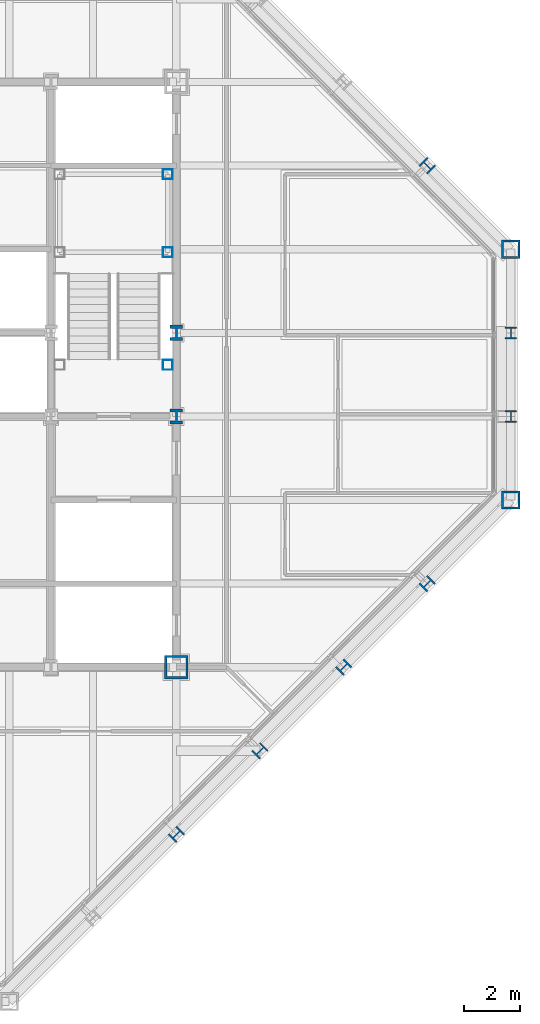
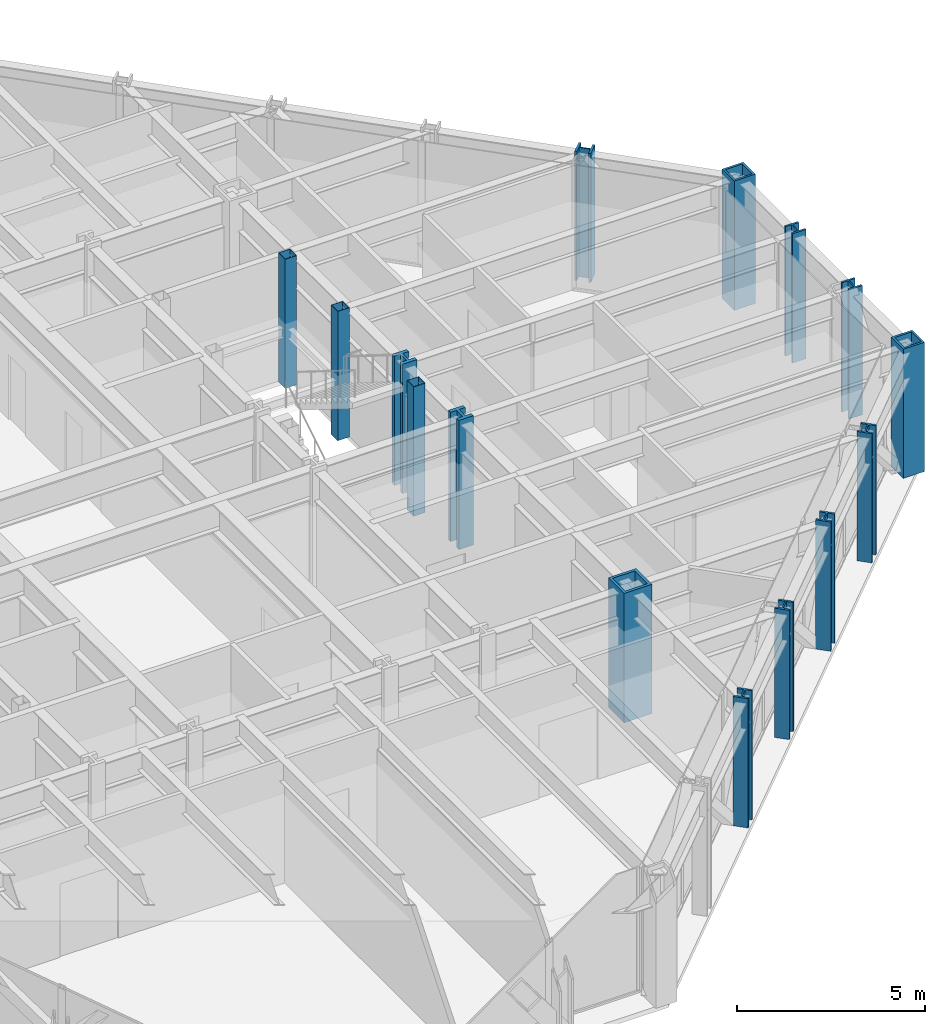
# One storey, part 3 of 15: 15 columns.
"""IFC4 building model written with IfcOpenShell, lengths in metres."""

from ifc_helpers import new_model, si_unit, direction, frame, origin, origin_2d, place, context, subcontext, project, spatial, hollow_rectangle, i_section, extrude, material, material_profile, profile_set, type_object, element, save


model = new_model("IFC4")

# Units and contexts
model_context = context("Model", 3, precision=1e-05, world=origin(), true_north=direction((0.0, 1.0)))
body_context = subcontext(model_context, "Body", "Model", "MODEL_VIEW")
ifc_project = project(units=[si_unit("LENGTHUNIT", "METRE"), si_unit("AREAUNIT", "SQUARE_METRE"), si_unit("VOLUMEUNIT", "CUBIC_METRE"), si_unit("PLANEANGLEUNIT", "RADIAN"), si_unit("MASSUNIT", "GRAM", prefix="KILO")], contexts=[model_context])

# Site, building, storey
site_placement = place(None, origin())
site = spatial("IfcSite", under=ifc_project, at=site_placement, CompositionType="ELEMENT")
building_placement = place(site_placement, origin())
building = spatial("IfcBuilding", under=site, at=building_placement, Name="Chuquiago Exchange Tower", CompositionType="ELEMENT")
storey_placement = place(building_placement, frame((0.0, 0.0, 266.39990234375)))
storey = spatial("IfcBuildingStorey", under=building, at=storey_placement, Name="L59", CompositionType="ELEMENT", Elevation=266.39990234375)

# Columns
ifc_material_1 = material(Name="Steel ASTM A992", Category="steel")
ifc_material_profile_1 = material_profile(ifc_material_1, i_section(OverallWidth=0.411376953125, OverallDepth=0.434326171875, WebThickness=0.035888671875, FlangeThickness=0.057373046875, at=origin_2d()), Name="W14X311")
ifc_profile_set_1 = profile_set([ifc_material_profile_1], Name="Steel ASTM A992")
column_type_1 = type_object("IfcColumnType", Name="C5 W14X311", PredefinedType="COLUMN", material=ifc_profile_set_1)
for number, where, z_axis, x_axis, name in (
    (1, (45.0, 21.0, 0.0), (0.0, 0.0, 1.0), (1.0, 0.0, 0.0), "COL-L59-45_21"),
    (2, (45.0, 24.0, 0.0), (0.0, 0.0, 1.0), (1.0, 0.0, 0.0), "COL-L59-45_24"),
):
    element("IfcColumn", number, at=place(storey_placement, frame(where, z_axis=z_axis, x_axis=x_axis)), inside=storey, type_object=column_type_1, Name=name, PredefinedType="COLUMN", context=body_context, shape_type="SweptSolid", body=[
        extrude(i_section(OverallWidth=0.411376953125, OverallDepth=0.434326171875, WebThickness=0.035888671875, FlangeThickness=0.057373046875, at=origin_2d()), origin(), (0.0, 0.0, 1.0), 4.2001953125),
    ])
ifc_material_2 = material(Name="Steel ASTM A992", Category="steel")
ifc_material_profile_2 = material_profile(ifc_material_2, i_section(OverallWidth=0.449462890625, OverallDepth=0.548583984375, WebThickness=0.07177734375, FlangeThickness=0.11474609375, at=origin_2d()), Name="W14X665")
ifc_profile_set_2 = profile_set([ifc_material_profile_2], Name="Steel ASTM A992")
column_type_2 = type_object("IfcColumnType", Name="CC5 W14X665", PredefinedType="COLUMN", material=ifc_profile_set_2)
for number, where, z_axis, x_axis, name in (
    (3, (33.0, 21.0, 0.0), (0.0, 0.0, 1.0), (1.0, 0.0, 0.0), "CCOL-L59-33_21"),
    (4, (33.0, 24.0, 0.0), (0.0, 0.0, 1.0), (1.0, 0.0, 0.0), "CCOL-L59-33_24"),
):
    element("IfcColumn", number, at=place(storey_placement, frame(where, z_axis=z_axis, x_axis=x_axis)), inside=storey, type_object=column_type_2, Name=name, PredefinedType="COLUMN", context=body_context, shape_type="SweptSolid", body=[
        extrude(i_section(OverallWidth=0.449462890625, OverallDepth=0.548583984375, WebThickness=0.07177734375, FlangeThickness=0.11474609375, at=origin_2d()), origin(), (0.0, 0.0, 1.0), 4.2001953125),
    ])
ifc_material_3 = material(Name="Steel ASTM A572 Grade 50", Category="steel")
ifc_material_profile_3 = material_profile(ifc_material_3, hollow_rectangle(XDim=0.85009765625, YDim=0.85009765625, WallThickness=0.0849609375, at=origin_2d()), Name="BOX850X850X85")
ifc_profile_set_3 = profile_set([ifc_material_profile_3], Name="Steel ASTM A572 Grade 50")
column_type_3 = type_object("IfcColumnType", Name="CC6 BOX850X850X85", PredefinedType="COLUMN", material=ifc_profile_set_3)
column_placement = place(storey_placement, frame((33.0, 12.0, 0.0), z_axis=(0.0, 0.0, 1.0), x_axis=(1.0, 0.0, 0.0)))
element("IfcColumn", 5, at=column_placement, inside=storey, type_object=column_type_3, Name="CCOL-L59-33_12", PredefinedType="COLUMN", context=body_context, shape_type="SweptSolid", body=[
    extrude(hollow_rectangle(XDim=0.85009765625, YDim=0.85009765625, WallThickness=0.0849609375, at=origin_2d()), origin(), (0.0, 0.0, 1.0), 4.2001953125),
])
ifc_material_4 = material(Name="Steel ASTM A992", Category="steel")
ifc_material_profile_4 = material_profile(ifc_material_4, i_section(OverallWidth=0.41650390625, OverallDepth=0.444580078125, WebThickness=0.0390625, FlangeThickness=0.062744140625, at=origin_2d()), Name="W14X342")
ifc_profile_set_4 = profile_set([ifc_material_profile_4], Name="Steel ASTM A992")
column_type_4 = type_object("IfcColumnType", Name="CK5 W14X342", PredefinedType="COLUMN", material=ifc_profile_set_4)
for number, where, z_axis, x_axis, name in (
    (6, (33.0, 6.0, 0.0), (0.0, 0.0, 1.0), (0.707106781187, -0.707106781187, 0.0), "COL-L59-33_6"),
    (7, (36.0, 9.0, 0.0), (0.0, 0.0, 1.0), (0.707106781187, -0.707106781187, 0.0), "COL-L59-36_9"),
    (8, (39.0, 12.0, 0.0), (0.0, 0.0, 1.0), (0.707106781187, -0.707106781187, 0.0), "COL-L59-39_12"),
    (9, (42.0, 15.0, 0.0), (0.0, 0.0, 1.0), (0.707106781187, -0.707106781187, 0.0), "COL-L59-42_15"),
    (10, (42.0, 30.0, 0.0), (0.0, 0.0, 1.0), (0.707106781187, 0.707106781187, 0.0), "COL-L59-42_30"),
):
    element("IfcColumn", number, at=place(storey_placement, frame(where, z_axis=z_axis, x_axis=x_axis)), inside=storey, type_object=column_type_4, Name=name, PredefinedType="COLUMN", context=body_context, shape_type="SweptSolid", body=[
        extrude(i_section(OverallWidth=0.41650390625, OverallDepth=0.444580078125, WebThickness=0.0390625, FlangeThickness=0.062744140625, at=origin_2d()), origin(), (0.0, 0.0, 1.0), 4.2001953125),
    ])
ifc_material_5 = material(Name="Steel ASTM A572 Grade 50", Category="steel")
ifc_material_profile_5 = material_profile(ifc_material_5, hollow_rectangle(XDim=0.64990234375, YDim=0.64990234375, WallThickness=0.06494140625, at=origin_2d()), Name="BOX650X650X65")
ifc_profile_set_5 = profile_set([ifc_material_profile_5], Name="Steel ASTM A572 Grade 50")
column_type_5 = type_object("IfcColumnType", Name="CN2 BOX650X650X65", PredefinedType="COLUMN", material=ifc_profile_set_5)
for number, where, z_axis, x_axis, name in (
    (11, (45.0, 18.0, 0.0), (0.0, 0.0, 1.0), (1.0, 0.0, 0.0), "COL-L59-45_18"),
    (12, (45.0, 27.0, 0.0), (0.0, 0.0, 1.0), (1.0, 0.0, 0.0), "COL-L59-45_27"),
):
    element("IfcColumn", number, at=place(storey_placement, frame(where, z_axis=z_axis, x_axis=x_axis)), inside=storey, type_object=column_type_5, Name=name, PredefinedType="COLUMN", context=body_context, shape_type="SweptSolid", body=[
        extrude(hollow_rectangle(XDim=0.64990234375, YDim=0.64990234375, WallThickness=0.06494140625, at=origin_2d()), origin(), (0.0, 0.0, 1.0), 4.2001953125),
    ])
ifc_material_6 = material(Name="Steel ASTM A500 Grade C", Category="steel")
ifc_material_profile_6 = material_profile(ifc_material_6, hollow_rectangle(XDim=0.355712890625, YDim=0.355712890625, WallThickness=0.0087890625, at=origin_2d()), Name="HSS14X14X3/8")
ifc_profile_set_6 = profile_set([ifc_material_profile_6], Name="Steel ASTM A500 Grade C")
column_type_6 = type_object("IfcColumnType", Name="PT1 HSS14X14X3/8", PredefinedType="COLUMN", material=ifc_profile_set_6)
for number, where, z_axis, x_axis, name in (
    (13, (32.68994140625, 29.68994140625, 0.0), (0.0, 0.0, 1.0), (1.0, 0.0, 0.0), "Stair ST2 L59 landing post"),
    (14, (32.68994140625, 26.889892578125, 0.0), (0.0, 0.0, 1.0), (1.0, 0.0, 0.0), "Stair ST2 L59 landing post"),
    (15, (32.68994140625, 22.85009765625, 0.0), (0.0, 0.0, 1.0), (1.0, 0.0, 0.0), "Stair ST2 L59 landing post"),
):
    element("IfcColumn", number, at=place(storey_placement, frame(where, z_axis=z_axis, x_axis=x_axis)), inside=storey, type_object=column_type_6, Name=name, PredefinedType="COLUMN", context=body_context, shape_type="SweptSolid", body=[
        extrude(hollow_rectangle(XDim=0.355712890625, YDim=0.355712890625, WallThickness=0.0087890625, at=origin_2d()), origin(), (0.0, 0.0, 1.0), 4.2001953125),
    ])

save(model, "model.ifc")
